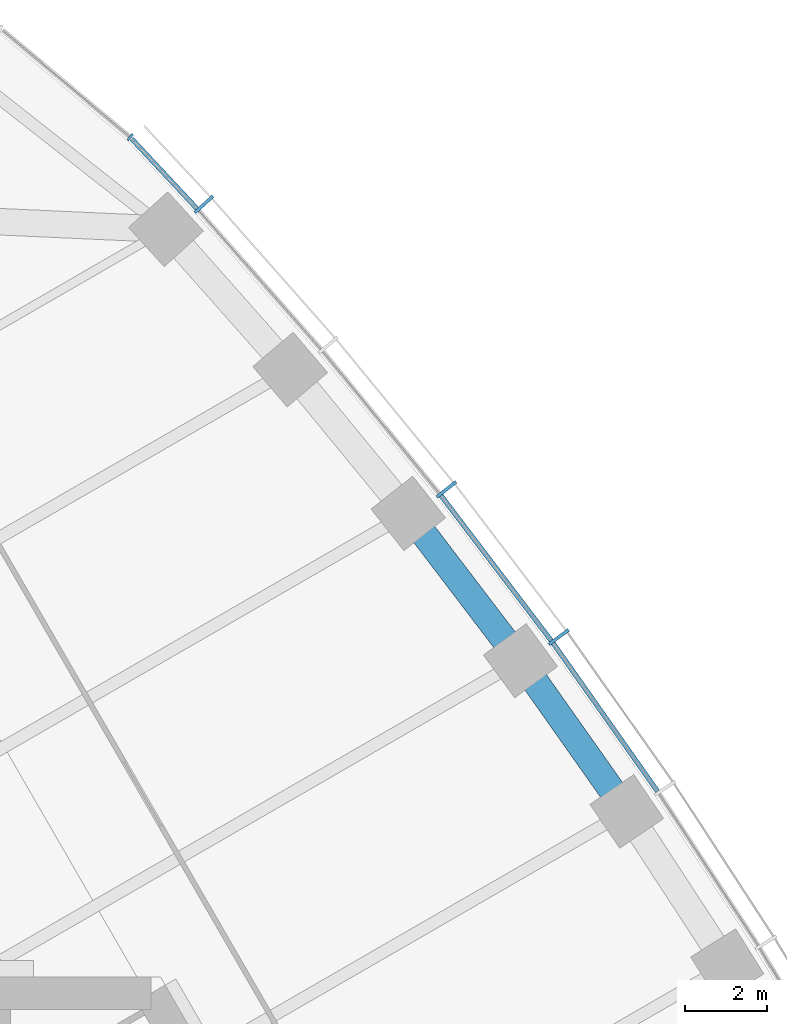
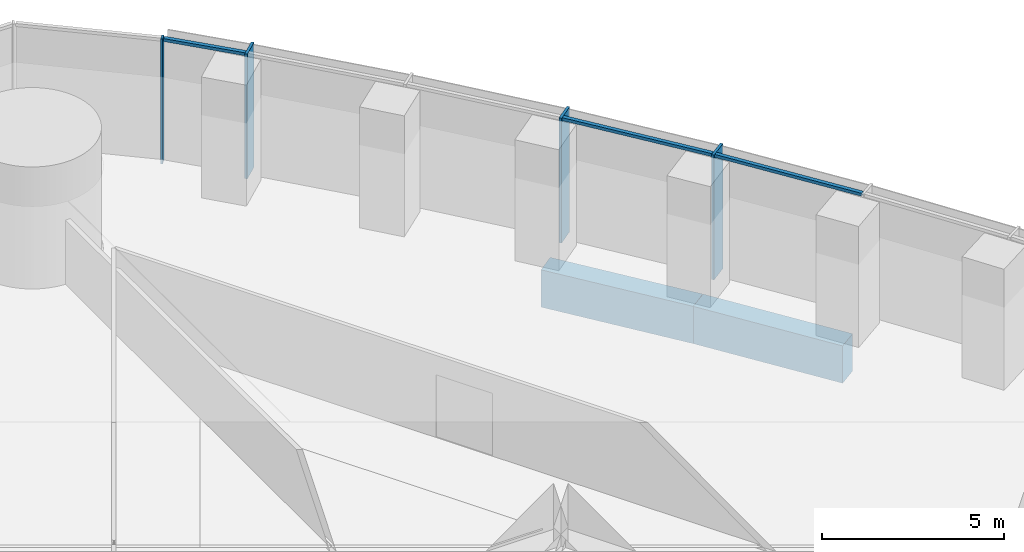
# One storey, part 7 of 19: 7 members, 2 beams, 2 elements without a shape of their own.
"""IFC4 building model written with IfcOpenShell, lengths in metres."""

import ifcopenshell
import ifcopenshell.guid

model = None  # the IFC model being written
_history = None  # IfcOwnerHistory: only IFC2X3 demands one
_inside = {}  # id of a spatial element -> (the spatial element, [elements in it])
_under = {}  # id of a project, library or spatial element -> (it, [spatial elements below it])
_declared = {}  # id of a project -> (the project, [libraries it declares])
_typed = {}  # id of a type object -> (the type object, [elements of that type])
_made_of = {}  # id of a material, layer set ... -> (it, [elements and type objects made of it])


def new_model(schema):
    """Start an empty IFC model of exactly this schema.

    Asked for "IFC4X3", IfcOpenShell would pick the latest addendum, in which some entities
    have other attributes; the version numbers below select the first issue.
    IFC2X3 requires an IfcOwnerHistory on every rooted entity: one is made here for all.
    """
    global model, _history
    if schema == "IFC4X3":
        model = ifcopenshell.file(schema_version=(4, 3, 0, 0))
    else:
        model = ifcopenshell.file(schema=schema)
    _inside.clear()
    _under.clear()
    _declared.clear()
    _typed.clear()
    _made_of.clear()
    _history = None
    if model.schema == "IFC2X3":
        org = make("IfcOrganization", Name="unknown")
        user = make(
            "IfcPersonAndOrganization",
            ThePerson=make("IfcPerson", FamilyName="unknown"),
            TheOrganization=org,
        )
        app = make(
            "IfcApplication",
            ApplicationDeveloper=org,
            Version="unknown",
            ApplicationFullName="unknown",
            ApplicationIdentifier="unknown",
        )
        _history = make(
            "IfcOwnerHistory",
            OwningUser=user,
            OwningApplication=app,
            ChangeAction="ADDED",
            CreationDate=0,
        )
    return model


def make(cls, **values):
    """One entity of the class cls with the attributes given. An attribute that is None is left unset."""
    return model.create_entity(
        cls, **{name: value for name, value in values.items() if value is not None}
    )


def rooted(cls, **values):
    """An entity with a GlobalId (a new one), such as an element, a storey or a relation."""
    return make(cls, GlobalId=ifcopenshell.guid.new(), OwnerHistory=_history, **values)


def si_unit(unit_type, name, prefix=None):
    """IfcSIUnit, for example si_unit("LENGTHUNIT", "METRE", prefix="MILLI")."""
    return make("IfcSIUnit", UnitType=unit_type, Prefix=prefix, Name=name)


def assignment(units):
    """IfcUnitAssignment: the units of a project."""
    return None if units is None else make("IfcUnitAssignment", Units=units)


def point(xyz):
    """IfcCartesianPoint."""
    return None if xyz is None else make("IfcCartesianPoint", Coordinates=xyz)


def direction(xyz):
    """IfcDirection."""
    return None if xyz is None else make("IfcDirection", DirectionRatios=xyz)


def frame(location, z_axis=None, x_axis=None):
    """IfcAxis2Placement3D, a coordinate frame: its origin and axes. An axis left out is left unset."""
    return make(
        "IfcAxis2Placement3D",
        Location=point(location),
        Axis=direction(z_axis),
        RefDirection=direction(x_axis),
    )


def frame_2d(location, x_axis=None):
    """IfcAxis2Placement2D, a coordinate frame in the plane: its origin and x axis."""
    return make(
        "IfcAxis2Placement2D", Location=point(location), RefDirection=direction(x_axis)
    )


def origin():
    """The frame at (0, 0, 0) with its axes left unset."""
    return frame((0.0, 0.0, 0.0))


def origin_2d():
    """The frame at (0, 0) in the plane with its x axis left unset."""
    return frame_2d((0.0, 0.0))


def place(relative_to, where):
    """IfcLocalPlacement: puts the frame where relative to a parent placement (None: the world)."""
    return make(
        "IfcLocalPlacement", PlacementRelTo=relative_to, RelativePlacement=where
    )


def context(
    kind, dimensions, precision=None, world=None, true_north=None, identifier=None
):
    """IfcGeometricRepresentationContext, for example the 3D "Model" context."""
    return make(
        "IfcGeometricRepresentationContext",
        ContextIdentifier=identifier,
        ContextType=kind,
        CoordinateSpaceDimension=dimensions,
        Precision=precision,
        WorldCoordinateSystem=world,
        TrueNorth=true_north,
    )


def subcontext(parent, identifier, kind, view, scale=None):
    """IfcGeometricRepresentationSubContext, for example "Body" below "Model"."""
    return make(
        "IfcGeometricRepresentationSubContext",
        ContextIdentifier=identifier,
        ContextType=kind,
        ParentContext=parent,
        TargetScale=scale,
        TargetView=view,
    )


def project(units=None, contexts=None):
    """IfcProject with its units and contexts."""
    return rooted(
        "IfcProject",
        Name="project",
        RepresentationContexts=contexts,
        UnitsInContext=assignment(units),
    )


def spatial(cls, under=None, at=None, **own):
    """A site, building, storey or space (cls), placed at a placement, below another one or the project."""
    s = rooted(cls, ObjectPlacement=at, **own)
    if under is not None:
        _under.setdefault(under.id(), (under, []))[1].append(s)
    return s


def profile(cls, at=None, kind="AREA", **sizes):
    """A parametric profile (cls). Its sizes go by their IFC names, for example OverallWidth=200.0."""
    return make(cls, ProfileType=kind, Position=at, **sizes)


def rectangle(**sizes):
    """IfcRectangleProfileDef."""
    return profile("IfcRectangleProfileDef", **sizes)


def extrude(swept, where, along, depth):
    """IfcExtrudedAreaSolid: the profile swept, set in the frame where, extruded along a direction by depth."""
    return make(
        "IfcExtrudedAreaSolid",
        SweptArea=swept,
        Position=where,
        ExtrudedDirection=direction(along),
        Depth=depth,
    )


def shape(context_of_items, identifier, shape_type, items):
    """IfcShapeRepresentation: the items that make up one representation, for example the "Body"."""
    return make(
        "IfcShapeRepresentation",
        ContextOfItems=context_of_items,
        RepresentationIdentifier=identifier,
        RepresentationType=shape_type,
        Items=items,
    )


def material(Name=None, Category=None):
    """IfcMaterial."""
    return make("IfcMaterial", Name=Name, Category=Category)


def material_profile(
    of_material, cross_section, Name=None, Category=None, Priority=None
):
    """IfcMaterialProfile: a cross section and its material."""
    return make(
        "IfcMaterialProfile",
        Name=Name,
        Material=of_material,
        Profile=cross_section,
        Priority=Priority,
        Category=Category,
    )


def profile_set(profiles, Name=None, composite=None):
    """IfcMaterialProfileSet."""
    return make(
        "IfcMaterialProfileSet",
        Name=Name,
        MaterialProfiles=profiles,
        CompositeProfile=composite,
    )


def made_of(thing, what):
    """Note that an element or type object is made of a material, layer set ...; save() writes the relation."""
    if what is not None:
        _made_of.setdefault(what.id(), (what, []))[1].append(thing)
    return thing


def type_object(cls, material=None, **own):
    """A type object (cls), such as IfcWallType, which elements share."""
    return made_of(rooted(cls, **own), material)


def element(
    cls,
    number,
    at=None,
    inside=None,
    cuts=None,
    type_object=None,
    material=None,
    context=None,
    identifier="Body",
    shape_type=None,
    held_by="IfcProductDefinitionShape",
    body=None,
    shapes=None,
    **own,
):
    """One element of the class cls, such as IfcWall. Its Tag is "e" and its number.

    at: its placement. inside: the storey or other place that contains it. cuts: it is an
    opening in that element (IfcRelVoidsElement). A single representation is given by context,
    identifier, shape_type and body (its items); several are given by shapes. held_by: the class
    of the entity that holds the representations. save() writes the other relations.
    """
    e = rooted(cls, Tag="e%d" % number, ObjectPlacement=at, **own)
    if body is not None:
        shapes = [shape(context, identifier, shape_type, body)]
    if shapes is not None:
        e.Representation = make(held_by, Representations=shapes)
    if inside is not None:
        _inside.setdefault(inside.id(), (inside, []))[1].append(e)
    if cuts is not None:
        rooted(
            "IfcRelVoidsElement", RelatingBuildingElement=cuts, RelatedOpeningElement=e
        )
    if type_object is not None:
        _typed.setdefault(type_object.id(), (type_object, []))[1].append(e)
    return made_of(e, material)


def aggregate(whole, parts):
    """IfcRelAggregates: a whole, such as a stair, and the parts it consists of."""
    return rooted("IfcRelAggregates", RelatingObject=whole, RelatedObjects=parts)


def save(model, path):
    """Write the relations noted so far, then the file.

    IfcRelAggregates (storeys below a building ...), IfcRelContainedInSpatialStructure (elements
    in a storey), IfcRelDefinesByType, IfcRelAssociatesMaterial and IfcRelDeclares: one each for
    every whole, place, type object, material and project.
    """
    for whole, parts in _under.values():
        aggregate(whole, parts)
    for where, things in _inside.values():
        rooted(
            "IfcRelContainedInSpatialStructure",
            RelatedElements=things,
            RelatingStructure=where,
        )
    for kind, things in _typed.values():
        rooted("IfcRelDefinesByType", RelatedObjects=things, RelatingType=kind)
    for what, things in _made_of.values():
        rooted("IfcRelAssociatesMaterial", RelatedObjects=things, RelatingMaterial=what)
    for by, libraries in _declared.values():
        rooted("IfcRelDeclares", RelatingContext=by, RelatedDefinitions=libraries)
    model.write(path)


model = new_model("IFC4")

# Units and contexts
model_context = context("Model", 3, precision=1e-05, world=origin(), true_north=direction((0.0, 1.0)))
body_context = subcontext(model_context, "Body", "Model", "MODEL_VIEW")
ifc_project = project(units=[si_unit("LENGTHUNIT", "METRE"), si_unit("AREAUNIT", "SQUARE_METRE"), si_unit("VOLUMEUNIT", "CUBIC_METRE"), si_unit("PLANEANGLEUNIT", "RADIAN"), si_unit("MASSUNIT", "GRAM", prefix="KILO")], contexts=[model_context])

# Site, building, storey
site_placement = place(None, origin())
site = spatial("IfcSite", under=ifc_project, at=site_placement, CompositionType="ELEMENT")
building_placement = place(site_placement, origin())
building = spatial("IfcBuilding", under=site, at=building_placement, Name="Trefoil Bronze Tower", CompositionType="ELEMENT")
storey_placement = place(building_placement, frame((0.0, 0.0, 132.5)))
storey = spatial("IfcBuildingStorey", under=building, at=storey_placement, Name="L30", CompositionType="ELEMENT", Elevation=132.5)

# Curtain wall, members
ifc_material_1 = material(Name="Tinted solar-control glass", Category="glass")
curtain_wall_type_1 = type_object("IfcCurtainWallType", Name="Bronze office curtain wall", PredefinedType="USERDEFINED", material=ifc_material_1)
curtain_wall_1_placement = place(storey_placement, origin())
curtain_wall_1 = element("IfcCurtainWall", 1, at=curtain_wall_1_placement, inside=storey, type_object=curtain_wall_type_1, Name="CW-A L30 F2", ObjectType="CURTAIN WALL", PredefinedType="USERDEFINED")
ifc_material_2 = material(Name="Bronze-finish aluminium", Category="aluminium")
ifc_material_profile_1 = material_profile(ifc_material_2, rectangle(XDim=0.60009765625, YDim=0.080078125, at=origin_2d()), Name="CW-A mullion")
ifc_profile_set_1 = profile_set([ifc_material_profile_1], Name="Bronze-finish aluminium")
member_type_1 = type_object("IfcMemberType", Name="Bronze office curtain wall mullion", PredefinedType="MULLION", material=ifc_profile_set_1)
member_1_placement = place(storey_placement, frame((15.764404296875, 24.7275390625, 0.0), z_axis=(0.0, 0.0, 1.0), x_axis=(-0.806874522901, -0.590722865897, 0.0)))
member_1 = element("IfcMember", 2, at=member_1_placement, type_object=member_type_1, Name="CW-A L30 F2 mullion 11", PredefinedType="MULLION", context=body_context, shape_type="SweptSolid", body=[
    extrude(rectangle(XDim=0.60009765625, YDim=0.080078125, at=origin_2d()), origin(), (0.0, 0.0, 1.0), 4.179931640625),
])
member_2_placement = place(storey_placement, frame((13.01220703125, 28.34716796875, 0.0), z_axis=(0.0, 0.0, 1.0), x_axis=(-0.78487913905, -0.619648882098, 0.0)))
member_2 = element("IfcMember", 3, at=member_2_placement, type_object=member_type_1, Name="CW-A L30 F2 mullion 12", PredefinedType="MULLION", context=body_context, shape_type="SweptSolid", body=[
    extrude(rectangle(XDim=0.60009765625, YDim=0.080078125, at=origin_2d()), origin(), (0.0, 0.0, 1.0), 4.179931640625),
])
member_3_placement = place(storey_placement, frame((7.070068359375, 35.332275390625, 0.0), z_axis=(0.0, 0.0, 1.0), x_axis=(-0.740360700327, -0.672209813534, 0.0)))
member_3 = element("IfcMember", 4, at=member_3_placement, type_object=member_type_1, Name="CW-A L30 F2 mullion 14", PredefinedType="MULLION", context=body_context, shape_type="SweptSolid", body=[
    extrude(rectangle(XDim=0.60009765625, YDim=0.080078125, at=origin_2d()), origin(), (0.0, 0.0, 1.0), 4.179931640625),
])
ifc_material_3 = material(Name="Bronze-finish aluminium", Category="aluminium")
ifc_material_profile_2 = material_profile(ifc_material_3, rectangle(XDim=0.1201171875, YDim=0.10009765625, at=origin_2d()), Name="CW-A transom")
ifc_profile_set_2 = profile_set([ifc_material_profile_2], Name="Bronze-finish aluminium")
member_type_2 = type_object("IfcMemberType", Name="Bronze office curtain wall transom", PredefinedType="USERDEFINED", material=ifc_profile_set_2)
member_4_placement = place(storey_placement, frame((18.18359375, 20.947021484375, 4.1298828125), z_axis=(-0.576017858824, 0.817437108478, 0.0), x_axis=(-0.817437108478, -0.576017858824, 0.0)))
member_4 = element("IfcMember", 5, at=member_4_placement, type_object=member_type_2, Name="CW-A L30 F2 transom 10", ObjectType="TRANSOM", PredefinedType="USERDEFINED", context=body_context, shape_type="SweptSolid", body=[
    extrude(rectangle(XDim=0.1201171875, YDim=0.10009765625, at=origin_2d()), origin(), (0.0, 0.0, 1.0), 4.4384765625),
])
member_5_placement = place(storey_placement, frame((15.57763671875, 24.642578125, 4.1298828125), z_axis=(-0.605229114572, 0.796051329296, 0.0), x_axis=(-0.796051329296, -0.605229114572, 0.0)))
member_5 = element("IfcMember", 6, at=member_5_placement, type_object=member_type_2, Name="CW-A L30 F2 transom 11", ObjectType="TRANSOM", PredefinedType="USERDEFINED", context=body_context, shape_type="SweptSolid", body=[
    extrude(rectangle(XDim=0.1201171875, YDim=0.10009765625, at=origin_2d()), origin(), (0.0, 0.0, 1.0), 4.456298828125),
])
member_6_placement = place(storey_placement, frame((6.893798828125, 35.22802734375, 4.1298828125), z_axis=(-0.682489214428, 0.730895664366, 0.0), x_axis=(-0.730895664366, -0.682489214428, 0.0)))
member_6 = element("IfcMember", 7, at=member_6_placement, type_object=member_type_2, Name="CW-A L30 F2 transom 14", ObjectType="TRANSOM", PredefinedType="USERDEFINED", context=body_context, shape_type="SweptSolid", body=[
    extrude(rectangle(XDim=0.1201171875, YDim=0.10009765625, at=origin_2d()), origin(), (0.0, 0.0, 1.0), 2.340087890625),
])
aggregate(curtain_wall_1, [member_1, member_2, member_3, member_4, member_5, member_6])

# Curtain wall, member
ifc_material_4 = material(Name="Tinted solar-control glass", Category="glass")
curtain_wall_type_2 = type_object("IfcCurtainWallType", Name="Bronze rounded corner curtain wall", PredefinedType="USERDEFINED", material=ifc_material_4)
curtain_wall_2_placement = place(storey_placement, origin())
curtain_wall_2 = element("IfcCurtainWall", 8, at=curtain_wall_2_placement, inside=storey, type_object=curtain_wall_type_2, Name="CW-B L30 K2", ObjectType="CURTAIN WALL", PredefinedType="USERDEFINED")
ifc_material_5 = material(Name="Bronze-finish aluminium", Category="aluminium")
ifc_material_profile_3 = material_profile(ifc_material_5, rectangle(XDim=0.199951171875, YDim=0.06005859375, at=origin_2d()), Name="CW-B mullion")
ifc_profile_set_3 = profile_set([ifc_material_profile_3], Name="Bronze-finish aluminium")
member_type_3 = type_object("IfcMemberType", Name="Bronze rounded corner curtain wall mullion", PredefinedType="MULLION", material=ifc_profile_set_3)
member_7_placement = place(storey_placement, frame((5.260498046875, 36.975830078125, 0.0), z_axis=(0.0, 0.0, 1.0), x_axis=(-0.642787609687, -0.766044443119, 0.0)))
member_7 = element("IfcMember", 9, at=member_7_placement, type_object=member_type_3, Name="CW-B L30 K2 mullion 1", PredefinedType="MULLION", context=body_context, shape_type="SweptSolid", body=[
    extrude(rectangle(XDim=0.199951171875, YDim=0.06005859375, at=origin_2d()), origin(), (0.0, 0.0, 1.0), 4.179931640625),
])
aggregate(curtain_wall_2, [member_7])

# Beams
ifc_material_6 = material(Name="Concrete B80", Category="concrete")
ifc_material_profile_4 = material_profile(ifc_material_6, rectangle(XDim=0.64990234375, YDim=1.25, at=origin_2d()), Name="RC 650x1250")
ifc_profile_set_4 = profile_set([ifc_material_profile_4], Name="Concrete B80")
beam_type = type_object("IfcBeamType", Name="Spandrel beam RC 650x1250", PredefinedType="SPANDREL", material=ifc_profile_set_4)
beam_1_placement = place(storey_placement, frame((17.43017578125, 20.45556640625, -0.824951171875), z_axis=(-0.576439228712, 0.81714002203, 0.0), x_axis=(-0.81714002203, -0.576439228712, 0.0)))
element("IfcBeam", 10, at=beam_1_placement, inside=storey, type_object=beam_type, Name="Spandrel F2.10 L30", PredefinedType="SPANDREL", context=body_context, shape_type="SweptSolid", body=[
    extrude(rectangle(XDim=0.64990234375, YDim=1.25, at=origin_2d()), origin(), (0.0, 0.0, 1.0), 4.5185546875),
])
beam_2_placement = place(storey_placement, frame((14.825439453125, 24.14794921875, -0.824951171875), z_axis=(-0.605898901788, 0.795541652468, 0.0), x_axis=(-0.795541652468, -0.605898901788, 0.0)))
element("IfcBeam", 11, at=beam_2_placement, inside=storey, type_object=beam_type, Name="Spandrel F2.11 L30", PredefinedType="SPANDREL", context=body_context, shape_type="SweptSolid", body=[
    extrude(rectangle(XDim=0.64990234375, YDim=1.25, at=origin_2d()), origin(), (0.0, 0.0, 1.0), 4.53662109375),
])

save(model, "model.ifc")
